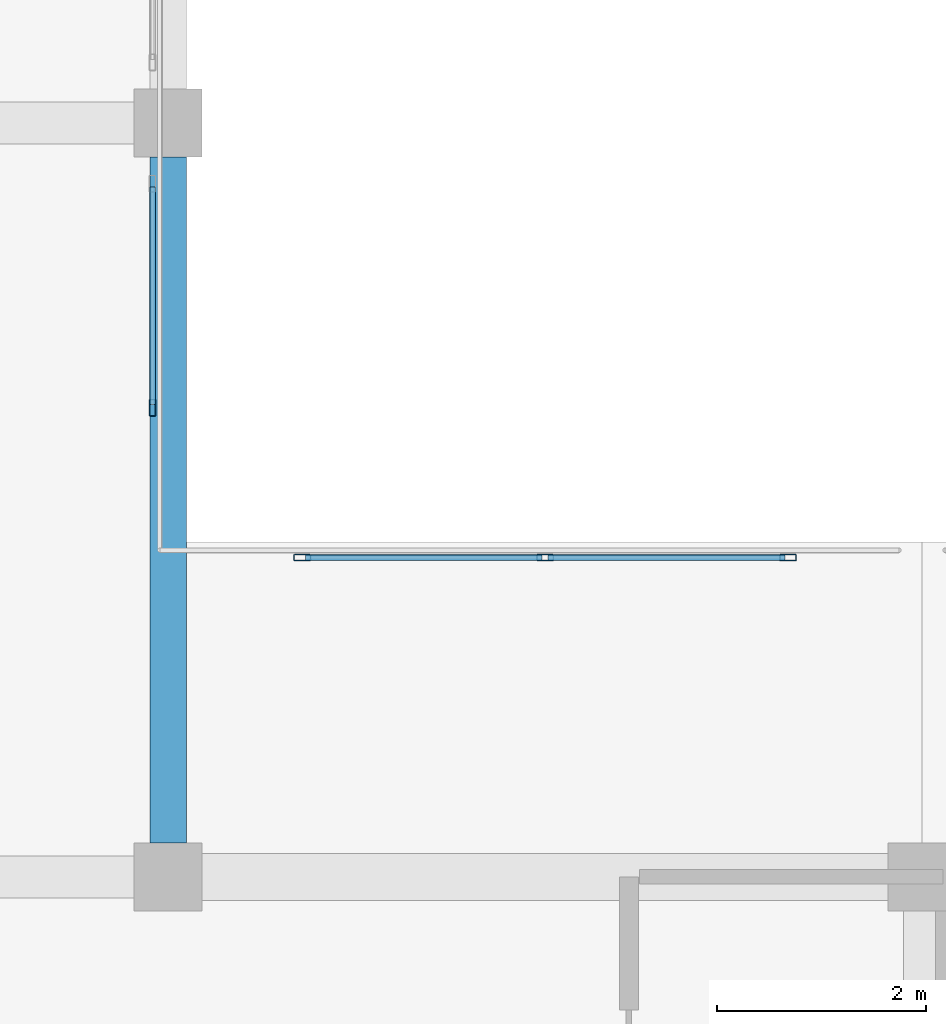
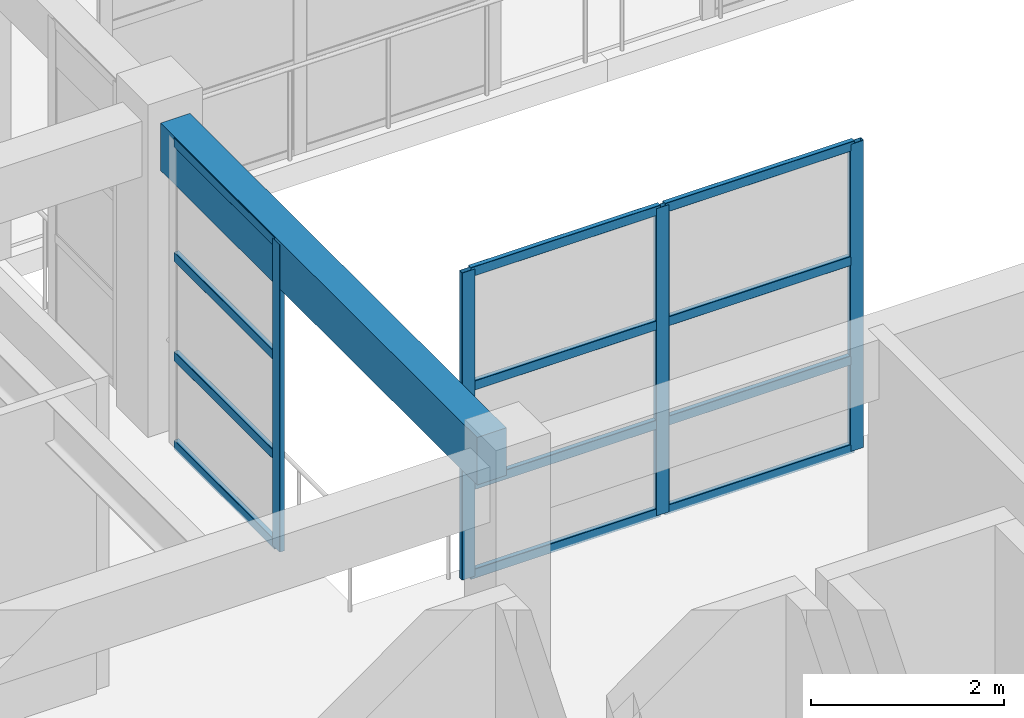
# One storey, part 27 of 67: 16 members, 1 beam, 2 elements without a shape of their own.
"""IFC4 building model written with IfcOpenShell, lengths in metres."""

from ifc_helpers import new_model, si_unit, direction, frame, origin, origin_2d, place, context, subcontext, project, spatial, rectangle, hollow_rectangle, extrude, material, material_profile, profile_set, type_object, element, aggregate, save


model = new_model("IFC4")

# Units and contexts
model_context = context("Model", 3, precision=1e-05, world=origin(), true_north=direction((0.0, 1.0)))
body_context = subcontext(model_context, "Body", "Model", "MODEL_VIEW")
ifc_project = project(units=[si_unit("LENGTHUNIT", "METRE"), si_unit("AREAUNIT", "SQUARE_METRE"), si_unit("VOLUMEUNIT", "CUBIC_METRE"), si_unit("PLANEANGLEUNIT", "RADIAN"), si_unit("MASSUNIT", "GRAM", prefix="KILO")], contexts=[model_context])

# Site, building, storey
site_placement = place(None, origin())
site = spatial("IfcSite", under=ifc_project, at=site_placement, CompositionType="ELEMENT")
building_placement = place(site_placement, origin())
building = spatial("IfcBuilding", under=site, at=building_placement, Name="Bramveld Media Centre", CompositionType="ELEMENT")
storey_placement = place(building_placement, frame((0.0, 0.0, 5.39990234375)))
storey = spatial("IfcBuildingStorey", under=building, at=storey_placement, Name="L01", CompositionType="ELEMENT", Elevation=5.39990234375)

# Beam
ifc_material_1 = material(Name="Concrete C40/50", Category="concrete")
ifc_material_profile_1 = material_profile(ifc_material_1, rectangle(XDim=0.35009765625, YDim=0.60009765625, at=origin_2d()), Name="RC 350x600")
ifc_profile_set_1 = profile_set([ifc_material_profile_1], Name="Concrete C40/50")
beam_type = type_object("IfcBeamType", Name="BM-INT-RC-350x600", PredefinedType="BEAM", material=ifc_profile_set_1)
beam_placement = place(storey_placement, frame((80.0, 97.925048828125, 3.6201171875), z_axis=(0.0, 1.0, 0.0), x_axis=(-1.0, 0.0, 0.0)))
element("IfcBeam", 1, at=beam_placement, inside=storey, type_object=beam_type, Name="V6 L01 girder Y-1029", PredefinedType="BEAM", context=body_context, shape_type="SweptSolid", body=[
    extrude(rectangle(XDim=0.35009765625, YDim=0.60009765625, at=origin_2d()), origin(), (0.0, 0.0, 1.0), 6.550048828125),
])

# Curtain wall, members
ifc_material_2 = material(Name="Thermally broken anodized bronze aluminium unitized curtain wall with solar-control triple glazing", Category="aluminium")
curtain_wall_type_1 = type_object("IfcCurtainWallType", Name="CW-ATR-4700x3880", PredefinedType="NOTDEFINED", material=ifc_material_2)
curtain_wall_1_placement = place(storey_placement, origin())
curtain_wall_1 = element("IfcCurtainWall", 2, at=curtain_wall_1_placement, inside=storey, type_object=curtain_wall_type_1, Name="V6 L01 atrium acoustic screen S1-1", PredefinedType="NOTDEFINED")
ifc_material_3 = material(Name="Thermally broken anodized bronze aluminium EN AW-6063 T6 curtain-wall framing", Category="aluminium")
ifc_material_profile_2 = material_profile(ifc_material_3, hollow_rectangle(XDim=0.06005859375, YDim=0.159912109375, WallThickness=0.00390625, InnerFilletRadius=0.00390625, OuterFilletRadius=0.008056640625, at=origin_2d()), Name="AL-MULL 60x160")
ifc_profile_set_2 = profile_set([ifc_material_profile_2], Name="Thermally broken anodized bronze aluminium EN AW-6063 T6 curtain-wall framing")
member_type_1 = type_object("IfcMemberType", Name="CW-MULL-INT", PredefinedType="MULLION", material=ifc_profile_set_2)
member_1_placement = place(storey_placement, frame((81.280029296875, 100.64990234375, 0.0), z_axis=(0.0, 0.0, 1.0), x_axis=(0.0, 1.0, 0.0)))
member_1 = element("IfcMember", 3, at=member_1_placement, type_object=member_type_1, Name="CW-AT-4738 mullion 1", PredefinedType="MULLION", context=body_context, shape_type="SweptSolid", body=[
    extrude(hollow_rectangle(XDim=0.06005859375, YDim=0.159912109375, WallThickness=0.00390625, InnerFilletRadius=0.00390625, OuterFilletRadius=0.008056640625, at=origin_2d()), origin(), (0.0, 0.0, 1.0), 3.880126953125),
])
member_2_placement = place(storey_placement, frame((83.60009765625, 100.64990234375, 0.0), z_axis=(0.0, 0.0, 1.0), x_axis=(0.0, 1.0, 0.0)))
member_2 = element("IfcMember", 4, at=member_2_placement, type_object=member_type_1, Name="CW-AT-4738 mullion 2", PredefinedType="MULLION", context=body_context, shape_type="SweptSolid", body=[
    extrude(hollow_rectangle(XDim=0.06005859375, YDim=0.159912109375, WallThickness=0.00390625, InnerFilletRadius=0.00390625, OuterFilletRadius=0.008056640625, at=origin_2d()), origin(), (0.0, 0.0, 1.0), 3.880126953125),
])
member_3_placement = place(storey_placement, frame((85.919921875, 100.64990234375, 0.0), z_axis=(0.0, 0.0, 1.0), x_axis=(0.0, 1.0, 0.0)))
member_3 = element("IfcMember", 5, at=member_3_placement, type_object=member_type_1, Name="CW-AT-4738 mullion 3", PredefinedType="MULLION", context=body_context, shape_type="SweptSolid", body=[
    extrude(hollow_rectangle(XDim=0.06005859375, YDim=0.159912109375, WallThickness=0.00390625, InnerFilletRadius=0.00390625, OuterFilletRadius=0.008056640625, at=origin_2d()), origin(), (0.0, 0.0, 1.0), 3.880126953125),
])

# Curtain wall, member
ifc_material_4 = material(Name="Thermally broken anodized bronze aluminium unitized curtain wall with solar-control triple glazing", Category="aluminium")
curtain_wall_type_2 = type_object("IfcCurtainWallType", Name="CW-ATR-2200x3880", PredefinedType="NOTDEFINED", material=ifc_material_4)
curtain_wall_2_placement = place(storey_placement, origin())
curtain_wall_2 = element("IfcCurtainWall", 6, at=curtain_wall_2_placement, inside=storey, type_object=curtain_wall_type_2, Name="V6 L01 atrium acoustic screen W-1", PredefinedType="NOTDEFINED")
member_4_placement = place(storey_placement, frame((79.85009765625, 102.080078125, 0.0), z_axis=(0.0, 0.0, 1.0), x_axis=(-1.0, 0.0, 0.0)))
member_4 = element("IfcMember", 7, at=member_4_placement, type_object=member_type_1, Name="CW-AT-2238 mullion 1", PredefinedType="MULLION", context=body_context, shape_type="SweptSolid", body=[
    extrude(hollow_rectangle(XDim=0.06005859375, YDim=0.159912109375, WallThickness=0.00390625, InnerFilletRadius=0.00390625, OuterFilletRadius=0.008056640625, at=origin_2d()), origin(), (0.0, 0.0, 1.0), 3.880126953125),
])

# Member
ifc_material_5 = material(Name="Thermally broken anodized bronze aluminium EN AW-6063 T6 curtain-wall framing", Category="aluminium")
ifc_material_profile_3 = material_profile(ifc_material_5, hollow_rectangle(XDim=0.06005859375, YDim=0.1201171875, WallThickness=0.00341796875, InnerFilletRadius=0.00341796875, OuterFilletRadius=0.007080078125, at=origin_2d()), Name="AL-TRAN 60x120")
ifc_profile_set_3 = profile_set([ifc_material_profile_3], Name="Thermally broken anodized bronze aluminium EN AW-6063 T6 curtain-wall framing")
member_type_2 = type_object("IfcMemberType", Name="CW-TRAN-INT", PredefinedType="USERDEFINED", material=ifc_profile_set_3)
member_5_placement = place(storey_placement, frame((81.31005859375, 100.64990234375, 0.030029296875), z_axis=(1.0, 0.0, 0.0), x_axis=(0.0, 1.0, 0.0)))
member_5 = element("IfcMember", 8, at=member_5_placement, type_object=member_type_2, Name="CW-AT-4738 transom 1.1", ObjectType="TRANSOM", PredefinedType="USERDEFINED", context=body_context, shape_type="SweptSolid", body=[
    extrude(hollow_rectangle(XDim=0.06005859375, YDim=0.1201171875, WallThickness=0.00341796875, InnerFilletRadius=0.00341796875, OuterFilletRadius=0.007080078125, at=origin_2d()), origin(), (0.0, 0.0, 1.0), 2.260009765625),
])

member_6_placement = place(storey_placement, frame((81.31005859375, 100.64990234375, 1.150146484375), z_axis=(1.0, 0.0, 0.0), x_axis=(0.0, 1.0, 0.0)))
member_6 = element("IfcMember", 9, at=member_6_placement, type_object=member_type_2, Name="CW-AT-4738 transom 1.2", ObjectType="TRANSOM", PredefinedType="USERDEFINED", context=body_context, shape_type="SweptSolid", body=[
    extrude(hollow_rectangle(XDim=0.06005859375, YDim=0.1201171875, WallThickness=0.00341796875, InnerFilletRadius=0.00341796875, OuterFilletRadius=0.007080078125, at=origin_2d()), origin(), (0.0, 0.0, 1.0), 2.260009765625),
])

member_7_placement = place(storey_placement, frame((81.31005859375, 100.64990234375, 2.406005859375), z_axis=(1.0, 0.0, 0.0), x_axis=(0.0, 1.0, 0.0)))
member_7 = element("IfcMember", 10, at=member_7_placement, type_object=member_type_2, Name="CW-AT-4738 transom 1.3", ObjectType="TRANSOM", PredefinedType="USERDEFINED", context=body_context, shape_type="SweptSolid", body=[
    extrude(hollow_rectangle(XDim=0.06005859375, YDim=0.1201171875, WallThickness=0.00341796875, InnerFilletRadius=0.00341796875, OuterFilletRadius=0.007080078125, at=origin_2d()), origin(), (0.0, 0.0, 1.0), 2.260009765625),
])

member_8_placement = place(storey_placement, frame((81.31005859375, 100.64990234375, 3.85009765625), z_axis=(1.0, 0.0, 0.0), x_axis=(0.0, 1.0, 0.0)))
member_8 = element("IfcMember", 11, at=member_8_placement, type_object=member_type_2, Name="CW-AT-4738 transom 1.4", ObjectType="TRANSOM", PredefinedType="USERDEFINED", context=body_context, shape_type="SweptSolid", body=[
    extrude(hollow_rectangle(XDim=0.06005859375, YDim=0.1201171875, WallThickness=0.00341796875, InnerFilletRadius=0.00341796875, OuterFilletRadius=0.007080078125, at=origin_2d()), origin(), (0.0, 0.0, 1.0), 2.260009765625),
])

member_9_placement = place(storey_placement, frame((83.6298828125, 100.64990234375, 0.030029296875), z_axis=(1.0, 0.0, 0.0), x_axis=(0.0, 1.0, 0.0)))
member_9 = element("IfcMember", 12, at=member_9_placement, type_object=member_type_2, Name="CW-AT-4738 transom 2.1", ObjectType="TRANSOM", PredefinedType="USERDEFINED", context=body_context, shape_type="SweptSolid", body=[
    extrude(hollow_rectangle(XDim=0.06005859375, YDim=0.1201171875, WallThickness=0.00341796875, InnerFilletRadius=0.00341796875, OuterFilletRadius=0.007080078125, at=origin_2d()), origin(), (0.0, 0.0, 1.0), 2.260009765625),
])

member_10_placement = place(storey_placement, frame((83.6298828125, 100.64990234375, 1.150146484375), z_axis=(1.0, 0.0, 0.0), x_axis=(0.0, 1.0, 0.0)))
member_10 = element("IfcMember", 13, at=member_10_placement, type_object=member_type_2, Name="CW-AT-4738 transom 2.2", ObjectType="TRANSOM", PredefinedType="USERDEFINED", context=body_context, shape_type="SweptSolid", body=[
    extrude(hollow_rectangle(XDim=0.06005859375, YDim=0.1201171875, WallThickness=0.00341796875, InnerFilletRadius=0.00341796875, OuterFilletRadius=0.007080078125, at=origin_2d()), origin(), (0.0, 0.0, 1.0), 2.260009765625),
])

member_11_placement = place(storey_placement, frame((83.6298828125, 100.64990234375, 2.406005859375), z_axis=(1.0, 0.0, 0.0), x_axis=(0.0, 1.0, 0.0)))
member_11 = element("IfcMember", 14, at=member_11_placement, type_object=member_type_2, Name="CW-AT-4738 transom 2.3", ObjectType="TRANSOM", PredefinedType="USERDEFINED", context=body_context, shape_type="SweptSolid", body=[
    extrude(hollow_rectangle(XDim=0.06005859375, YDim=0.1201171875, WallThickness=0.00341796875, InnerFilletRadius=0.00341796875, OuterFilletRadius=0.007080078125, at=origin_2d()), origin(), (0.0, 0.0, 1.0), 2.260009765625),
])

member_12_placement = place(storey_placement, frame((83.6298828125, 100.64990234375, 3.85009765625), z_axis=(1.0, 0.0, 0.0), x_axis=(0.0, 1.0, 0.0)))
member_12 = element("IfcMember", 15, at=member_12_placement, type_object=member_type_2, Name="CW-AT-4738 transom 2.4", ObjectType="TRANSOM", PredefinedType="USERDEFINED", context=body_context, shape_type="SweptSolid", body=[
    extrude(hollow_rectangle(XDim=0.06005859375, YDim=0.1201171875, WallThickness=0.00341796875, InnerFilletRadius=0.00341796875, OuterFilletRadius=0.007080078125, at=origin_2d()), origin(), (0.0, 0.0, 1.0), 2.260009765625),
])

aggregate(curtain_wall_1, [member_1, member_2, member_3, member_5, member_6, member_7, member_8, member_9, member_10, member_11, member_12])

member_13_placement = place(storey_placement, frame((79.85009765625, 102.110107421875, 0.030029296875), z_axis=(0.0, 1.0, 0.0), x_axis=(-1.0, 0.0, 0.0)))
member_13 = element("IfcMember", 16, at=member_13_placement, type_object=member_type_2, Name="CW-AT-2238 transom 1.1", ObjectType="TRANSOM", PredefinedType="USERDEFINED", context=body_context, shape_type="SweptSolid", body=[
    extrude(hollow_rectangle(XDim=0.06005859375, YDim=0.1201171875, WallThickness=0.00341796875, InnerFilletRadius=0.00341796875, OuterFilletRadius=0.007080078125, at=origin_2d()), origin(), (0.0, 0.0, 1.0), 2.079833984375),
])

member_14_placement = place(storey_placement, frame((79.85009765625, 102.110107421875, 1.150146484375), z_axis=(0.0, 1.0, 0.0), x_axis=(-1.0, 0.0, 0.0)))
member_14 = element("IfcMember", 17, at=member_14_placement, type_object=member_type_2, Name="CW-AT-2238 transom 1.2", ObjectType="TRANSOM", PredefinedType="USERDEFINED", context=body_context, shape_type="SweptSolid", body=[
    extrude(hollow_rectangle(XDim=0.06005859375, YDim=0.1201171875, WallThickness=0.00341796875, InnerFilletRadius=0.00341796875, OuterFilletRadius=0.007080078125, at=origin_2d()), origin(), (0.0, 0.0, 1.0), 2.079833984375),
])

member_15_placement = place(storey_placement, frame((79.85009765625, 102.110107421875, 2.406005859375), z_axis=(0.0, 1.0, 0.0), x_axis=(-1.0, 0.0, 0.0)))
member_15 = element("IfcMember", 18, at=member_15_placement, type_object=member_type_2, Name="CW-AT-2238 transom 1.3", ObjectType="TRANSOM", PredefinedType="USERDEFINED", context=body_context, shape_type="SweptSolid", body=[
    extrude(hollow_rectangle(XDim=0.06005859375, YDim=0.1201171875, WallThickness=0.00341796875, InnerFilletRadius=0.00341796875, OuterFilletRadius=0.007080078125, at=origin_2d()), origin(), (0.0, 0.0, 1.0), 2.079833984375),
])

member_16_placement = place(storey_placement, frame((79.85009765625, 102.110107421875, 3.85009765625), z_axis=(0.0, 1.0, 0.0), x_axis=(-1.0, 0.0, 0.0)))
member_16 = element("IfcMember", 19, at=member_16_placement, type_object=member_type_2, Name="CW-AT-2238 transom 1.4", ObjectType="TRANSOM", PredefinedType="USERDEFINED", context=body_context, shape_type="SweptSolid", body=[
    extrude(hollow_rectangle(XDim=0.06005859375, YDim=0.1201171875, WallThickness=0.00341796875, InnerFilletRadius=0.00341796875, OuterFilletRadius=0.007080078125, at=origin_2d()), origin(), (0.0, 0.0, 1.0), 2.079833984375),
])

aggregate(curtain_wall_2, [member_4, member_13, member_14, member_15, member_16])

save(model, "model.ifc")
